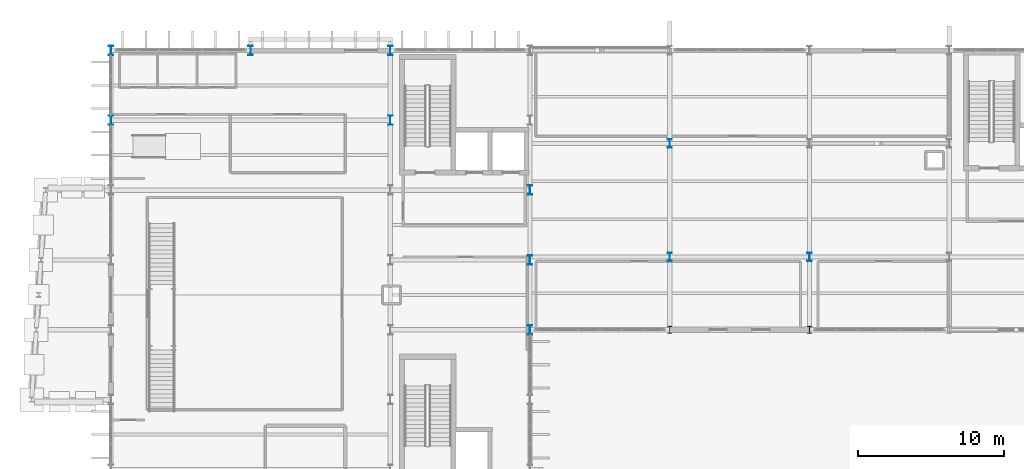
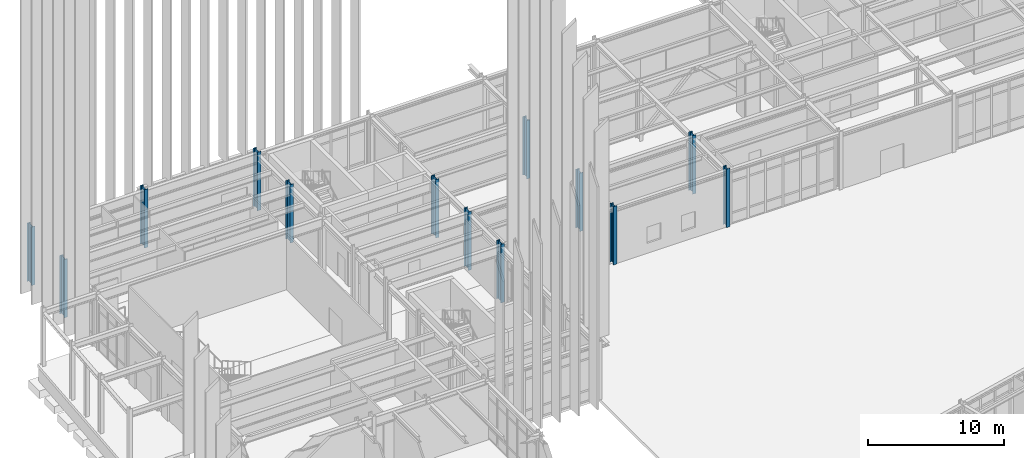
# One storey, part 14 of 109: 13 columns.
"""IFC4 building model written with IfcOpenShell, lengths in metres."""

from ifc_helpers import new_model, si_unit, direction, frame, origin, origin_2d, place, context, subcontext, project, spatial, i_section, extrude, material, material_profile, profile_set, type_object, element, save


model = new_model("IFC4")

# Units and contexts
model_context = context("Model", 3, precision=1e-05, world=origin(), true_north=direction((0.0, 1.0)))
body_context = subcontext(model_context, "Body", "Model", "MODEL_VIEW")
ifc_project = project(units=[si_unit("LENGTHUNIT", "METRE"), si_unit("AREAUNIT", "SQUARE_METRE"), si_unit("VOLUMEUNIT", "CUBIC_METRE"), si_unit("PLANEANGLEUNIT", "RADIAN"), si_unit("MASSUNIT", "GRAM", prefix="KILO")], contexts=[model_context])

# Site, building, storey
site_placement = place(None, origin())
site = spatial("IfcSite", under=ifc_project, at=site_placement, CompositionType="ELEMENT")
building_placement = place(site_placement, origin())
building = spatial("IfcBuilding", under=site, at=building_placement, Name="Nordkorset Police Headquarters", CompositionType="ELEMENT")
storey_placement = place(building_placement, origin())
storey = spatial("IfcBuildingStorey", under=building, at=storey_placement, Name="L00", CompositionType="ELEMENT", Elevation=0.0)

# Columns
ifc_material_1 = material(Name="Steel S355J2", Category="steel")
ifc_material_profile_1 = material_profile(ifc_material_1, i_section(OverallWidth=0.300048828125, OverallDepth=0.5, WebThickness=0.014404296875, FlangeThickness=0.028076171875, FilletRadius=0.027099609375, at=origin_2d()), Name="HEB 500")
ifc_profile_set_1 = profile_set([ifc_material_profile_1], Name="Steel S355J2")
column_type_1 = type_object("IfcColumnType", Name="Col_HEB_500", PredefinedType="COLUMN", material=ifc_profile_set_1)
for number, where, z_axis, x_axis, name in (
    (1, (38.39990234375, 97.60009765625, 0.0), (0.0, 0.0, 1.0), (1.0, 0.0, 0.0), "Structural Column V2_Y0_0 L00"),
    (2, (48.0, 97.60009765625, 0.0), (0.0, 0.0, 1.0), (1.0, 0.0, 0.0), "Structural Column V2_Y0_1 L00"),
):
    element("IfcColumn", number, at=place(storey_placement, frame(where, z_axis=z_axis, x_axis=x_axis)), inside=storey, type_object=column_type_1, Name=name, PredefinedType="COLUMN", context=body_context, shape_type="SweptSolid", body=[
        extrude(i_section(OverallWidth=0.300048828125, OverallDepth=0.5, WebThickness=0.014404296875, FlangeThickness=0.028076171875, FilletRadius=0.027099609375, at=origin_2d()), origin(), (0.0, 0.0, 1.0), 5.25),
    ])
ifc_material_2 = material(Name="Steel S355J2", Category="steel")
ifc_material_profile_2 = material_profile(ifc_material_2, i_section(OverallWidth=0.300048828125, OverallDepth=0.60009765625, WebThickness=0.015380859375, FlangeThickness=0.030029296875, FilletRadius=0.027099609375, at=origin_2d()), Name="HEB 600")
ifc_profile_set_2 = profile_set([ifc_material_profile_2], Name="Steel S355J2")
column_type_2 = type_object("IfcColumnType", Name="Col_HEB_600", PredefinedType="COLUMN", material=ifc_profile_set_2)
for number, where, z_axis, x_axis, name in (
    (3, (38.39990234375, 102.60009765625, 0.0), (0.0, 0.0, 1.0), (1.0, 0.0, 0.0), "Structural Column V2_Y1_0 L00"),
    (4, (38.39990234375, 110.39990234375, 0.0), (0.0, 0.0, 1.0), (1.0, 0.0, 0.0), "Structural Column V2_Y2_0 L00"),
    (5, (48.0, 102.60009765625, 0.0), (0.0, 0.0, 1.0), (1.0, 0.0, 0.0), "Structural Column V2_Y1_1 L00"),
):
    element("IfcColumn", number, at=place(storey_placement, frame(where, z_axis=z_axis, x_axis=x_axis)), inside=storey, type_object=column_type_2, Name=name, PredefinedType="COLUMN", context=body_context, shape_type="SweptSolid", body=[
        extrude(i_section(OverallWidth=0.300048828125, OverallDepth=0.60009765625, WebThickness=0.015380859375, FlangeThickness=0.030029296875, FilletRadius=0.027099609375, at=origin_2d()), origin(), (0.0, 0.0, 1.0), 5.25),
    ])
ifc_material_3 = material(Name="Steel S355J2", Category="steel")
ifc_material_profile_3 = material_profile(ifc_material_3, i_section(OverallWidth=0.300048828125, OverallDepth=0.64990234375, WebThickness=0.01611328125, FlangeThickness=0.031005859375, FilletRadius=0.027099609375, at=origin_2d()), Name="HEB 650")
ifc_profile_set_3 = profile_set([ifc_material_profile_3], Name="Steel S355J2")
column_type_3 = type_object("IfcColumnType", Name="Col_HEB_650", PredefinedType="COLUMN", material=ifc_profile_set_3)
for number, where, z_axis, x_axis, name in (
    (6, (28.800048828125, 97.60009765625, 0.0), (0.0, 0.0, 1.0), (1.0, 0.0, 0.0), "Structural Column V1_E_3 L00"),
    (7, (28.800048828125, 102.39990234375, 0.0), (0.0, 0.0, 1.0), (1.0, 0.0, 0.0), "Structural Column V1_E_4 L00"),
    (8, (28.800048828125, 107.199951171875, 0.0), (0.0, 0.0, 1.0), (1.0, 0.0, 0.0), "Structural Column V1_E_5 L00"),
    (9, (0.0, 112.0, 0.0), (0.0, 0.0, 1.0), (1.0, 0.0, 0.0), "Structural Column V1_W_6 L00"),
    (10, (0.0, 116.800048828125, 0.0), (0.0, 0.0, 1.0), (1.0, 0.0, 0.0), "Structural Column V1_W_7 L00"),
    (11, (9.60009765625, 116.800048828125, 0.0), (0.0, 0.0, 1.0), (1.0, 0.0, 0.0), "Structural Column V1_N_0 L00"),
    (12, (19.199951171875, 116.800048828125, 0.0), (0.0, 0.0, 1.0), (1.0, 0.0, 0.0), "Structural Column V1_N_1 L00"),
    (13, (19.199951171875, 112.0, 0.0), (0.0, 0.0, 1.0), (1.0, 0.0, 0.0), "Structural Column V1_CW_5 L00"),
):
    element("IfcColumn", number, at=place(storey_placement, frame(where, z_axis=z_axis, x_axis=x_axis)), inside=storey, type_object=column_type_3, Name=name, PredefinedType="COLUMN", context=body_context, shape_type="SweptSolid", body=[
        extrude(i_section(OverallWidth=0.300048828125, OverallDepth=0.64990234375, WebThickness=0.01611328125, FlangeThickness=0.031005859375, FilletRadius=0.027099609375, at=origin_2d()), origin(), (0.0, 0.0, 1.0), 5.25),
    ])

save(model, "model.ifc")
